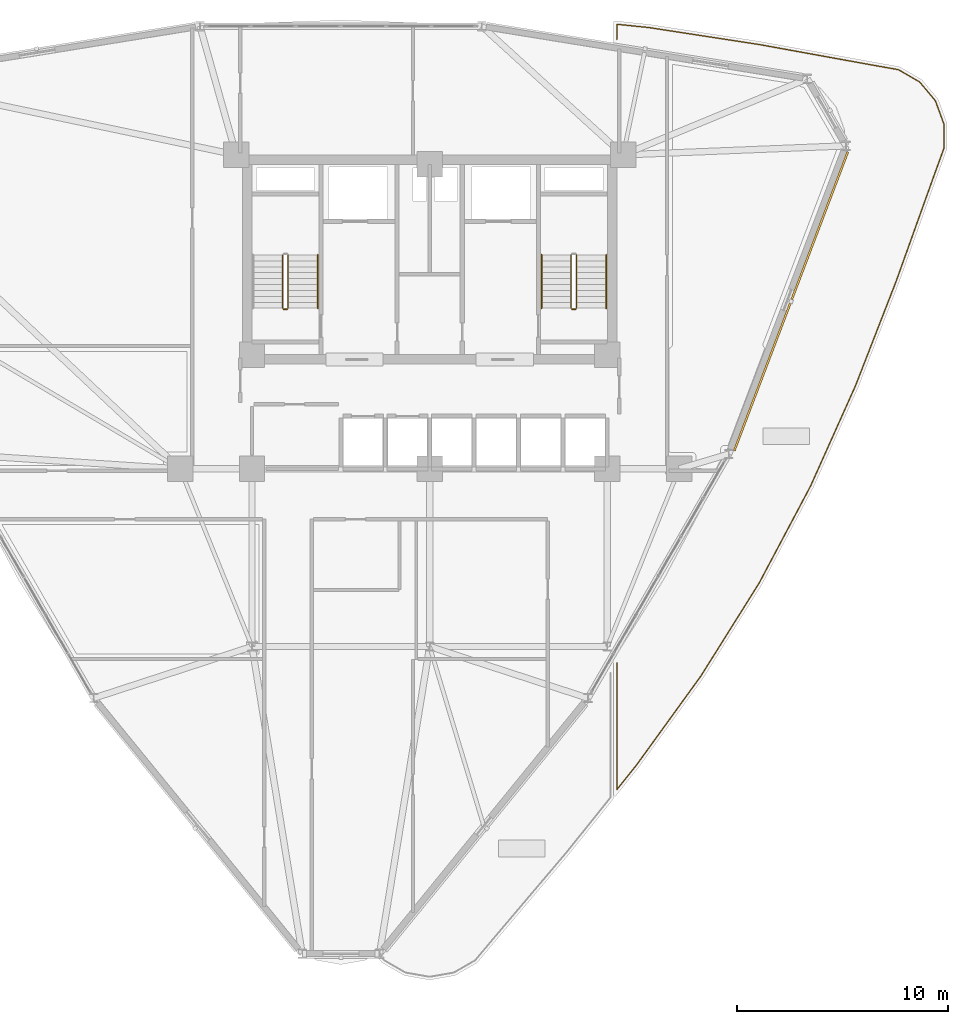
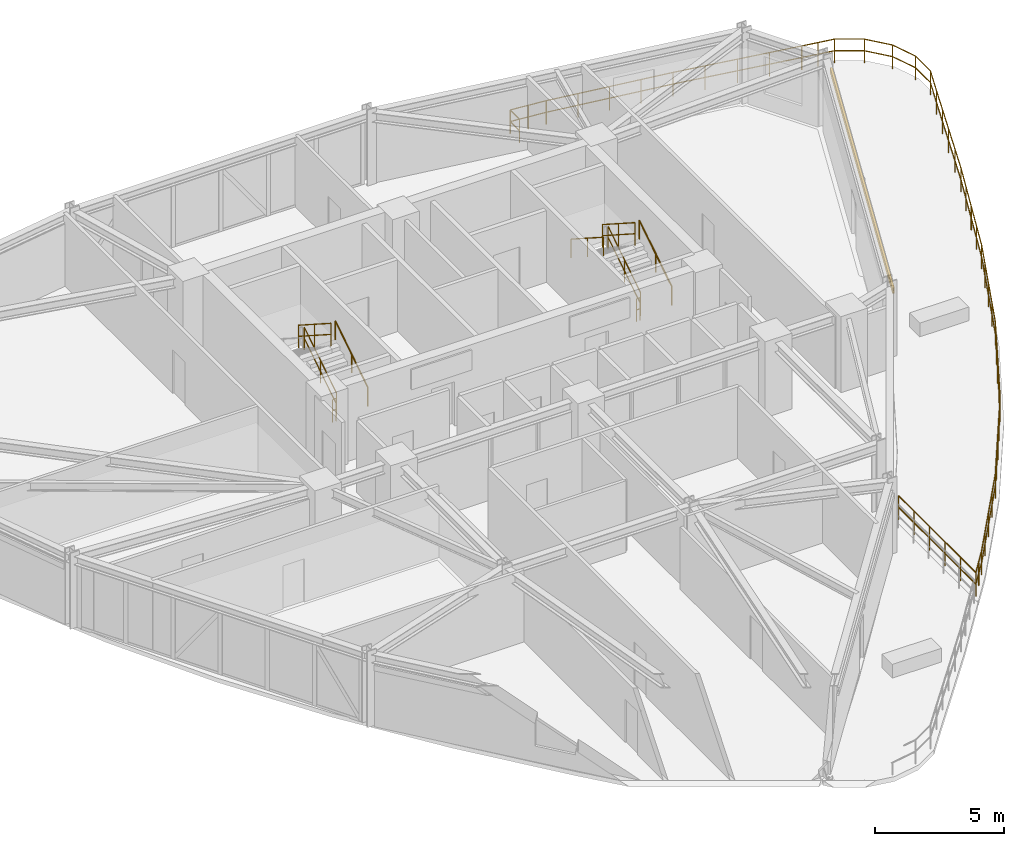
# One storey, part 16 of 18: 11 railings, 1 shading device.
"""IFC4 building model written with IfcOpenShell, lengths in metres."""

from ifc_helpers import new_model, si_unit, derived_unit, direction, frame, origin, origin_2d, place, context, subcontext, project, spatial, hollow_rectangle, circle, extrude, source, transform, mapped, material, material_profile, profile_set, type_object, element, save


model = new_model("IFC4")

# Units and contexts
model_context = context("Model", 3, precision=1e-05, world=origin(), true_north=direction((0.0, 1.0)))
body_context = subcontext(model_context, "Body", "Model", "MODEL_VIEW")
ifc_project = project(units=[si_unit("LENGTHUNIT", "METRE"), si_unit("AREAUNIT", "SQUARE_METRE"), si_unit("VOLUMEUNIT", "CUBIC_METRE"), si_unit("PLANEANGLEUNIT", "RADIAN"), si_unit("MASSUNIT", "GRAM", prefix="KILO"), derived_unit("THERMALTRANSMITTANCEUNIT", [(si_unit("POWERUNIT", "WATT"), 1), (si_unit("LENGTHUNIT", "METRE"), -2), (si_unit("THERMODYNAMICTEMPERATUREUNIT", "KELVIN"), -1)])], contexts=[model_context])

# Site, building, storey
site_placement = place(None, origin())
site = spatial("IfcSite", under=ifc_project, at=site_placement, CompositionType="ELEMENT")
building_placement = place(site_placement, origin())
building = spatial("IfcBuilding", under=site, at=building_placement, Name="Korsvarv Bourse and Concert Hall", CompositionType="ELEMENT")
storey_placement = place(building_placement, frame((0.0, 0.0, 136.199951171875)))
storey = spatial("IfcBuildingStorey", under=building, at=storey_placement, Name="L34", CompositionType="ELEMENT", Elevation=136.199951171875)

# Railings
ifc_material_1 = material(Name="Laminated safety glass and stainless Steel S355 balustrade", Category="steel")
railing_type_1 = type_object("IfcRailingType", Name="RL-BAL-EXT", PredefinedType="BALUSTRADE", material=ifc_material_1)
railing_1_placement = place(storey_placement, frame((44.85009765625, 17.23486328125, 0.0)))
element("IfcRailing", 1, at=railing_1_placement, inside=storey, type_object=railing_type_1, Name="L34 terrace perimeter balustrade SKYG1-1", PredefinedType="BALUSTRADE", context=body_context, shape_type="SweptSolid", body=[
    extrude(circle(Radius=0.02392578125, at=origin_2d()), frame((0.0, 0.0, 1.1259765625), z_axis=(0.0, 1.0, 0.0), x_axis=(-1.0, 0.0, 0.0)), (0.0, 0.0, 1.0), 5.997314453125),
    extrude(circle(Radius=0.02392578125, at=origin_2d()), frame((0.0, 0.0, 0.574951171875), z_axis=(0.0, 1.0, 0.0), x_axis=(-1.0, 0.0, 0.0)), (0.0, 0.0, 1.0), 5.997314453125),
    extrude(circle(Radius=0.02099609375, at=origin_2d()), origin(), (0.0, 0.0, 1.0), 1.101806640625),
    extrude(circle(Radius=0.02099609375, at=origin_2d()), frame((0.0, 1.199462890625, 0.0)), (0.0, 0.0, 1.0), 1.101806640625),
    extrude(circle(Radius=0.02099609375, at=origin_2d()), frame((0.0, 2.39892578125, 0.0)), (0.0, 0.0, 1.0), 1.101806640625),
    extrude(circle(Radius=0.02099609375, at=origin_2d()), frame((0.0, 3.598388671875, 0.0)), (0.0, 0.0, 1.0), 1.101806640625),
    extrude(circle(Radius=0.02099609375, at=origin_2d()), frame((0.0, 4.7978515625, 0.0)), (0.0, 0.0, 1.0), 1.101806640625),
    extrude(circle(Radius=0.02099609375, at=origin_2d()), frame((0.0, 5.997314453125, 0.0)), (0.0, 0.0, 1.0), 1.101806640625),
])
railing_2_placement = place(storey_placement, frame((44.85009765625, 52.7021484375, 0.0)))
element("IfcRailing", 2, at=railing_2_placement, inside=storey, type_object=railing_type_1, Name="L34 terrace perimeter balustrade SKYG1-2", PredefinedType="BALUSTRADE", context=body_context, shape_type="SweptSolid", body=[
    extrude(circle(Radius=0.02392578125, at=origin_2d()), frame((0.0, 0.0, 1.1259765625), z_axis=(0.0, 1.0, 0.0), x_axis=(-1.0, 0.0, 0.0)), (0.0, 0.0, 1.0), 0.724853515625),
    extrude(circle(Radius=0.02392578125, at=origin_2d()), frame((0.0, 0.0, 0.574951171875), z_axis=(0.0, 1.0, 0.0), x_axis=(-1.0, 0.0, 0.0)), (0.0, 0.0, 1.0), 0.724853515625),
    extrude(circle(Radius=0.02392578125, at=origin_2d()), frame((0.0, 0.724853515625, 1.1259765625), z_axis=(0.994751162448, -0.102323627812, 0.0), x_axis=(0.102323627812, 0.994751162448, 0.0)), (0.0, 0.0, 1.0), 1.5341796875),
    extrude(circle(Radius=0.02392578125, at=origin_2d()), frame((0.0, 0.724853515625, 0.574951171875), z_axis=(0.994751162448, -0.102323627812, 0.0), x_axis=(0.102323627812, 0.994751162448, 0.0)), (0.0, 0.0, 1.0), 1.5341796875),
    extrude(circle(Radius=0.02392578125, at=origin_2d()), frame((1.526123046875, 0.56787109375, 1.1259765625), z_axis=(0.98836153602, -0.152123220177, 0.0), x_axis=(0.152123220177, 0.98836153602, 0.0)), (0.0, 0.0, 1.0), 5.278564453125),
    extrude(circle(Radius=0.02392578125, at=origin_2d()), frame((1.526123046875, 0.56787109375, 0.574951171875), z_axis=(0.98836153602, -0.152123220177, 0.0), x_axis=(0.152123220177, 0.98836153602, 0.0)), (0.0, 0.0, 1.0), 5.278564453125),
    extrude(circle(Radius=0.02392578125, at=origin_2d()), frame((6.7431640625, -0.235107421875, 1.1259765625), z_axis=(0.983919776467, -0.178610955646, 0.0), x_axis=(0.178610955646, 0.983919776467, 0.0)), (0.0, 0.0, 1.0), 5.32275390625),
    extrude(circle(Radius=0.02392578125, at=origin_2d()), frame((6.7431640625, -0.235107421875, 0.574951171875), z_axis=(0.983919776467, -0.178610955646, 0.0), x_axis=(0.178610955646, 0.983919776467, 0.0)), (0.0, 0.0, 1.0), 5.32275390625),
    extrude(circle(Radius=0.02392578125, at=origin_2d()), frame((11.980224609375, -1.185791015625, 1.1259765625), z_axis=(0.984781740032, -0.17379564005, 0.0), x_axis=(0.17379564005, 0.984781740032, 0.0)), (0.0, 0.0, 1.0), 1.351318359375),
    extrude(circle(Radius=0.02392578125, at=origin_2d()), frame((11.980224609375, -1.185791015625, 0.574951171875), z_axis=(0.984781740032, -0.17379564005, 0.0), x_axis=(0.17379564005, 0.984781740032, 0.0)), (0.0, 0.0, 1.0), 1.351318359375),
    extrude(circle(Radius=0.02392578125, at=origin_2d()), frame((13.31103515625, -1.420654296875, 1.1259765625), z_axis=(0.866000375644, -0.500043347506, 0.0), x_axis=(0.500043347506, 0.866000375644, 0.0)), (0.0, 0.0, 1.0), 1.16357421875),
    extrude(circle(Radius=0.02392578125, at=origin_2d()), frame((13.31103515625, -1.420654296875, 0.574951171875), z_axis=(0.866000375644, -0.500043347506, 0.0), x_axis=(0.500043347506, 0.866000375644, 0.0)), (0.0, 0.0, 1.0), 1.16357421875),
    extrude(circle(Radius=0.02392578125, at=origin_2d()), frame((14.318603515625, -2.00244140625, 1.1259765625), z_axis=(0.642842672423, -0.765998236624, 0.0), x_axis=(0.765998236624, 0.642842672423, 0.0)), (0.0, 0.0, 1.0), 1.16357421875),
    extrude(circle(Radius=0.02392578125, at=origin_2d()), frame((14.318603515625, -2.00244140625, 0.574951171875), z_axis=(0.642842672423, -0.765998236624, 0.0), x_axis=(0.765998236624, 0.642842672423, 0.0)), (0.0, 0.0, 1.0), 1.16357421875),
    extrude(circle(Radius=0.02392578125, at=origin_2d()), frame((15.066650390625, -2.893798828125, 1.1259765625), z_axis=(0.341978889275, -0.939707635007, 0.0), x_axis=(0.939707635007, 0.341978889275, 0.0)), (0.0, 0.0, 1.0), 1.16357421875),
    extrude(circle(Radius=0.02392578125, at=origin_2d()), frame((15.066650390625, -2.893798828125, 0.574951171875), z_axis=(0.341978889275, -0.939707635007, 0.0), x_axis=(0.939707635007, 0.341978889275, 0.0)), (0.0, 0.0, 1.0), 1.16357421875),
    extrude(circle(Radius=0.02392578125, at=origin_2d()), frame((15.464599609375, -3.9873046875, 1.1259765625), z_axis=(0.0, -1.0, 0.0), x_axis=(1.0, 0.0, 0.0)), (0.0, 0.0, 1.0), 1.163818359375),
    extrude(circle(Radius=0.02392578125, at=origin_2d()), frame((15.464599609375, -3.9873046875, 0.574951171875), z_axis=(0.0, -1.0, 0.0), x_axis=(1.0, 0.0, 0.0)), (0.0, 0.0, 1.0), 1.163818359375),
    extrude(circle(Radius=0.02392578125, at=origin_2d()), frame((15.464599609375, -5.151123046875, 1.1259765625), z_axis=(-0.341976241071, -0.939708598739, 0.0), x_axis=(0.939708598739, -0.341976241071, 0.0)), (0.0, 0.0, 1.0), 1.344970703125),
    extrude(circle(Radius=0.02392578125, at=origin_2d()), frame((15.464599609375, -5.151123046875, 0.574951171875), z_axis=(-0.341976241071, -0.939708598739, 0.0), x_axis=(0.939708598739, -0.341976241071, 0.0)), (0.0, 0.0, 1.0), 1.344970703125),
    extrude(circle(Radius=0.02392578125, at=origin_2d()), frame((15.004638671875, -6.4150390625, 1.1259765625), z_axis=(-0.337279063568, -0.941404712798, 0.0), x_axis=(0.941404712798, -0.337279063568, 0.0)), (0.0, 0.0, 1.0), 5.331298828125),
    extrude(circle(Radius=0.02392578125, at=origin_2d()), frame((15.004638671875, -6.4150390625, 0.574951171875), z_axis=(-0.337279063568, -0.941404712798, 0.0), x_axis=(0.941404712798, -0.337279063568, 0.0)), (0.0, 0.0, 1.0), 5.331298828125),
    extrude(circle(Radius=0.02392578125, at=origin_2d()), frame((13.20654296875, -11.433837890625, 1.1259765625), z_axis=(-0.362479749728, -0.931991647515, 0.0), x_axis=(0.931991647515, -0.362479749728, 0.0)), (0.0, 0.0, 1.0), 5.277099609375),
    extrude(circle(Radius=0.02392578125, at=origin_2d()), frame((13.20654296875, -11.433837890625, 0.574951171875), z_axis=(-0.362479749728, -0.931991647515, 0.0), x_axis=(0.931991647515, -0.362479749728, 0.0)), (0.0, 0.0, 1.0), 5.277099609375),
    extrude(circle(Radius=0.02392578125, at=origin_2d()), frame((11.293701171875, -16.35205078125, 1.1259765625), z_axis=(-0.408744382243, -0.91264890839, 0.0), x_axis=(0.91264890839, -0.408744382243, 0.0)), (0.0, 0.0, 1.0), 5.220947265625),
    extrude(circle(Radius=0.02392578125, at=origin_2d()), frame((11.293701171875, -16.35205078125, 0.574951171875), z_axis=(-0.408744382243, -0.91264890839, 0.0), x_axis=(0.91264890839, -0.408744382243, 0.0)), (0.0, 0.0, 1.0), 5.220947265625),
    extrude(circle(Radius=0.02392578125, at=origin_2d()), frame((9.15966796875, -21.116943359375, 1.1259765625), z_axis=(-0.468428559525, -0.883501377827, 0.0), x_axis=(0.883501377827, -0.468428559525, 0.0)), (0.0, 0.0, 1.0), 5.184326171875),
    extrude(circle(Radius=0.02392578125, at=origin_2d()), frame((9.15966796875, -21.116943359375, 0.574951171875), z_axis=(-0.468428559525, -0.883501377827, 0.0), x_axis=(0.883501377827, -0.468428559525, 0.0)), (0.0, 0.0, 1.0), 5.184326171875),
    extrude(circle(Radius=0.02392578125, at=origin_2d()), frame((6.731201171875, -25.697265625, 1.1259765625), z_axis=(-0.530900081553, -0.847434424252, 0.0), x_axis=(0.847434424252, -0.530900081553, 0.0)), (0.0, 0.0, 1.0), 5.185302734375),
    extrude(circle(Radius=0.02392578125, at=origin_2d()), frame((6.731201171875, -25.697265625, 0.574951171875), z_axis=(-0.530900081553, -0.847434424252, 0.0), x_axis=(0.847434424252, -0.530900081553, 0.0)), (0.0, 0.0, 1.0), 5.185302734375),
    extrude(circle(Radius=0.02392578125, at=origin_2d()), frame((3.978271484375, -30.091552734375, 1.1259765625), z_axis=(-0.585990505548, -0.810317917491, 0.0), x_axis=(0.810317917491, -0.585990505548, 0.0)), (0.0, 0.0, 1.0), 5.222900390625),
    extrude(circle(Radius=0.02392578125, at=origin_2d()), frame((3.978271484375, -30.091552734375, 0.574951171875), z_axis=(-0.585990505548, -0.810317917491, 0.0), x_axis=(0.810317917491, -0.585990505548, 0.0)), (0.0, 0.0, 1.0), 5.222900390625),
    extrude(circle(Radius=0.02392578125, at=origin_2d()), frame((0.917724609375, -34.32373046875, 1.1259765625), z_axis=(-0.625892336201, -0.779909471339, 0.0), x_axis=(0.779909471339, -0.625892336201, 0.0)), (0.0, 0.0, 1.0), 1.46630859375),
    extrude(circle(Radius=0.02392578125, at=origin_2d()), frame((0.917724609375, -34.32373046875, 0.574951171875), z_axis=(-0.625892336201, -0.779909471339, 0.0), x_axis=(0.779909471339, -0.625892336201, 0.0)), (0.0, 0.0, 1.0), 1.46630859375),
    extrude(circle(Radius=0.02099609375, at=origin_2d()), origin(), (0.0, 0.0, 1.0), 1.101806640625),
    extrude(circle(Radius=0.02099609375, at=origin_2d()), frame((0.0, 0.724853515625, 0.0)), (0.0, 0.0, 1.0), 1.101806640625),
    extrude(circle(Radius=0.02099609375, at=origin_2d()), frame((0.76318359375, 0.646484375, 0.0)), (0.0, 0.0, 1.0), 1.101806640625),
    extrude(circle(Radius=0.02099609375, at=origin_2d()), frame((1.526123046875, 0.56787109375, 0.0)), (0.0, 0.0, 1.0), 1.101806640625),
    extrude(circle(Radius=0.02099609375, at=origin_2d()), frame((2.830322265625, 0.3671875, 0.0)), (0.0, 0.0, 1.0), 1.101806640625),
    extrude(circle(Radius=0.02099609375, at=origin_2d()), frame((4.134765625, 0.16650390625, 0.0)), (0.0, 0.0, 1.0), 1.101806640625),
    extrude(circle(Radius=0.02099609375, at=origin_2d()), frame((5.43896484375, -0.034423828125, 0.0)), (0.0, 0.0, 1.0), 1.101806640625),
    extrude(circle(Radius=0.02099609375, at=origin_2d()), frame((6.7431640625, -0.235107421875, 0.0)), (0.0, 0.0, 1.0), 1.101806640625),
    extrude(circle(Radius=0.02099609375, at=origin_2d()), frame((8.052490234375, -0.47265625, 0.0)), (0.0, 0.0, 1.0), 1.101806640625),
    extrude(circle(Radius=0.02099609375, at=origin_2d()), frame((9.36181640625, -0.71044921875, 0.0)), (0.0, 0.0, 1.0), 1.101806640625),
    extrude(circle(Radius=0.02099609375, at=origin_2d()), frame((10.6708984375, -0.9482421875, 0.0)), (0.0, 0.0, 1.0), 1.101806640625),
    extrude(circle(Radius=0.02099609375, at=origin_2d()), frame((11.980224609375, -1.185791015625, 0.0)), (0.0, 0.0, 1.0), 1.101806640625),
    extrude(circle(Radius=0.02099609375, at=origin_2d()), frame((12.6455078125, -1.30322265625, 0.0)), (0.0, 0.0, 1.0), 1.101806640625),
    extrude(circle(Radius=0.02099609375, at=origin_2d()), frame((13.31103515625, -1.420654296875, 0.0)), (0.0, 0.0, 1.0), 1.101806640625),
    extrude(circle(Radius=0.02099609375, at=origin_2d()), frame((14.318603515625, -2.00244140625, 0.0)), (0.0, 0.0, 1.0), 1.101806640625),
    extrude(circle(Radius=0.02099609375, at=origin_2d()), frame((15.066650390625, -2.893798828125, 0.0)), (0.0, 0.0, 1.0), 1.101806640625),
    extrude(circle(Radius=0.02099609375, at=origin_2d()), frame((15.464599609375, -3.9873046875, 0.0)), (0.0, 0.0, 1.0), 1.101806640625),
    extrude(circle(Radius=0.02099609375, at=origin_2d()), frame((15.464599609375, -5.151123046875, 0.0)), (0.0, 0.0, 1.0), 1.101806640625),
    extrude(circle(Radius=0.02099609375, at=origin_2d()), frame((15.004638671875, -6.4150390625, 0.0)), (0.0, 0.0, 1.0), 1.101806640625),
    extrude(circle(Radius=0.02099609375, at=origin_2d()), frame((14.55517578125, -7.669677734375, 0.0)), (0.0, 0.0, 1.0), 1.101806640625),
    extrude(circle(Radius=0.02099609375, at=origin_2d()), frame((14.10546875, -8.92431640625, 0.0)), (0.0, 0.0, 1.0), 1.101806640625),
    extrude(circle(Radius=0.02099609375, at=origin_2d()), frame((13.656005859375, -10.17919921875, 0.0)), (0.0, 0.0, 1.0), 1.101806640625),
    extrude(circle(Radius=0.02099609375, at=origin_2d()), frame((13.20654296875, -11.433837890625, 0.0)), (0.0, 0.0, 1.0), 1.101806640625),
    extrude(circle(Radius=0.02099609375, at=origin_2d()), frame((12.728271484375, -12.663330078125, 0.0)), (0.0, 0.0, 1.0), 1.101806640625),
    extrude(circle(Radius=0.02099609375, at=origin_2d()), frame((12.25, -13.89306640625, 0.0)), (0.0, 0.0, 1.0), 1.101806640625),
    extrude(circle(Radius=0.02099609375, at=origin_2d()), frame((11.77197265625, -15.12255859375, 0.0)), (0.0, 0.0, 1.0), 1.101806640625),
    extrude(circle(Radius=0.02099609375, at=origin_2d()), frame((11.293701171875, -16.35205078125, 0.0)), (0.0, 0.0, 1.0), 1.101806640625),
    extrude(circle(Radius=0.02099609375, at=origin_2d()), frame((10.76025390625, -17.543212890625, 0.0)), (0.0, 0.0, 1.0), 1.101806640625),
    extrude(circle(Radius=0.02099609375, at=origin_2d()), frame((10.2265625, -18.734375, 0.0)), (0.0, 0.0, 1.0), 1.101806640625),
    extrude(circle(Radius=0.02099609375, at=origin_2d()), frame((9.693115234375, -19.92578125, 0.0)), (0.0, 0.0, 1.0), 1.101806640625),
    extrude(circle(Radius=0.02099609375, at=origin_2d()), frame((9.15966796875, -21.116943359375, 0.0)), (0.0, 0.0, 1.0), 1.101806640625),
    extrude(circle(Radius=0.02099609375, at=origin_2d()), frame((8.552490234375, -22.261962890625, 0.0)), (0.0, 0.0, 1.0), 1.101806640625),
    extrude(circle(Radius=0.02099609375, at=origin_2d()), frame((7.9453125, -23.4072265625, 0.0)), (0.0, 0.0, 1.0), 1.101806640625),
    extrude(circle(Radius=0.02099609375, at=origin_2d()), frame((7.33837890625, -24.55224609375, 0.0)), (0.0, 0.0, 1.0), 1.101806640625),
    extrude(circle(Radius=0.02099609375, at=origin_2d()), frame((6.731201171875, -25.697265625, 0.0)), (0.0, 0.0, 1.0), 1.101806640625),
    extrude(circle(Radius=0.02099609375, at=origin_2d()), frame((6.04296875, -26.7958984375, 0.0)), (0.0, 0.0, 1.0), 1.101806640625),
    extrude(circle(Radius=0.02099609375, at=origin_2d()), frame((5.354736328125, -27.89453125, 0.0)), (0.0, 0.0, 1.0), 1.101806640625),
    extrude(circle(Radius=0.02099609375, at=origin_2d()), frame((4.66650390625, -28.992919921875, 0.0)), (0.0, 0.0, 1.0), 1.101806640625),
    extrude(circle(Radius=0.02099609375, at=origin_2d()), frame((3.978271484375, -30.091552734375, 0.0)), (0.0, 0.0, 1.0), 1.101806640625),
    extrude(circle(Radius=0.02099609375, at=origin_2d()), frame((3.213134765625, -31.149658203125, 0.0)), (0.0, 0.0, 1.0), 1.101806640625),
    extrude(circle(Radius=0.02099609375, at=origin_2d()), frame((2.447998046875, -32.20751953125, 0.0)), (0.0, 0.0, 1.0), 1.101806640625),
    extrude(circle(Radius=0.02099609375, at=origin_2d()), frame((1.682861328125, -33.265625, 0.0)), (0.0, 0.0, 1.0), 1.101806640625),
    extrude(circle(Radius=0.02099609375, at=origin_2d()), frame((0.917724609375, -34.32373046875, 0.0)), (0.0, 0.0, 1.0), 1.101806640625),
    extrude(circle(Radius=0.02099609375, at=origin_2d()), frame((0.458984375, -34.8955078125, 0.0)), (0.0, 0.0, 1.0), 1.101806640625),
    extrude(circle(Radius=0.02099609375, at=origin_2d()), frame((0.0, -35.46728515625, 0.0)), (0.0, 0.0, 1.0), 1.101806640625),
])
ifc_material_2 = material(Name="Painted Steel S355 stair well guardrail", Category="steel")
railing_type_2 = type_object("IfcRailingType", Name="RL-ST-GRD", PredefinedType="GUARDRAIL", material=ifc_material_2)
railing_3_placement = place(storey_placement, frame((29.31005859375, 40.0, 0.179931640625)))
element("IfcRailing", 3, at=railing_3_placement, inside=storey, type_object=railing_type_2, Name="L34 ST-T1 stair guard 1", PredefinedType="GUARDRAIL", context=body_context, shape_type="SweptSolid", body=[
    extrude(circle(Radius=0.02392578125, at=origin_2d()), frame((0.0, 0.0, 1.076171875), z_axis=(0.0, 0.841162588446, 0.540782303519), x_axis=(-1.0, 0.0, 0.0)), (0.0, 0.0, 1.0), 2.995849609375),
    extrude(circle(Radius=0.02392578125, at=origin_2d()), frame((0.0, 0.0, 0.550048828125), z_axis=(0.0, 0.841162588446, 0.540782303519), x_axis=(-1.0, 0.0, 0.0)), (0.0, 0.0, 1.0), 2.995849609375),
    extrude(circle(Radius=0.02099609375, at=origin_2d()), origin(), (0.0, 0.0, 1.0), 1.052001953125),
    extrude(circle(Radius=0.02099609375, at=origin_2d()), frame((0.0, 1.260009765625, 0.81005859375)), (0.0, 0.0, 1.0), 1.052001953125),
    extrude(circle(Radius=0.02099609375, at=origin_2d()), frame((0.0, 2.52001953125, 1.6201171875)), (0.0, 0.0, 1.0), 1.052001953125),
])
railing_4_placement = place(storey_placement, frame((29.050048828125, 42.52001953125, 1.97998046875)))
element("IfcRailing", 4, at=railing_4_placement, inside=storey, type_object=railing_type_2, Name="L34 ST-T1 stair guard 3", PredefinedType="GUARDRAIL", context=body_context, shape_type="SweptSolid", body=[
    extrude(circle(Radius=0.02392578125, at=origin_2d()), frame((0.0, 0.0, 1.076171875), z_axis=(0.0, -0.841162588446, 0.540782303519), x_axis=(1.0, 0.0, 0.0)), (0.0, 0.0, 1.0), 2.995849609375),
    extrude(circle(Radius=0.02392578125, at=origin_2d()), frame((0.0, 0.0, 0.550048828125), z_axis=(0.0, -0.841162588446, 0.540782303519), x_axis=(1.0, 0.0, 0.0)), (0.0, 0.0, 1.0), 2.995849609375),
    extrude(circle(Radius=0.02099609375, at=origin_2d()), origin(), (0.0, 0.0, 1.0), 1.052001953125),
    extrude(circle(Radius=0.02099609375, at=origin_2d()), frame((0.0, -1.260009765625, 0.81005859375)), (0.0, 0.0, 1.0), 1.052001953125),
    extrude(circle(Radius=0.02099609375, at=origin_2d()), frame((0.0, -2.52001953125, 1.6201171875)), (0.0, 0.0, 1.0), 1.052001953125),
])
railing_5_placement = place(storey_placement, frame((29.260009765625, 39.949951171875, 0.0)))
element("IfcRailing", 5, at=railing_5_placement, inside=storey, type_object=railing_type_2, Name="L34 ST-T1 stair guard 4", PredefinedType="GUARDRAIL", context=body_context, shape_type="SweptSolid", body=[
    extrude(circle(Radius=0.02392578125, at=origin_2d()), frame((0.0, 0.0, 1.076171875), z_axis=(-1.0, 0.0, 0.0), x_axis=(0.0, -1.0, 0.0)), (0.0, 0.0, 1.0), 0.159912109375),
    extrude(circle(Radius=0.02392578125, at=origin_2d()), frame((0.0, 0.0, 0.550048828125), z_axis=(-1.0, 0.0, 0.0), x_axis=(0.0, -1.0, 0.0)), (0.0, 0.0, 1.0), 0.159912109375),
    extrude(circle(Radius=0.02099609375, at=origin_2d()), origin(), (0.0, 0.0, 1.0), 1.052001953125),
    extrude(circle(Radius=0.02099609375, at=origin_2d()), frame((-0.159912109375, 0.0, 0.0)), (0.0, 0.0, 1.0), 1.052001953125),
])
railing_6_placement = place(storey_placement, frame((42.949951171875, 40.0, 0.179931640625)))
element("IfcRailing", 6, at=railing_6_placement, inside=storey, type_object=railing_type_2, Name="L34 ST-T2 stair guard 1", PredefinedType="GUARDRAIL", context=body_context, shape_type="SweptSolid", body=[
    extrude(circle(Radius=0.02392578125, at=origin_2d()), frame((0.0, 0.0, 1.076171875), z_axis=(0.0, 0.841162588446, 0.540782303519), x_axis=(-1.0, 0.0, 0.0)), (0.0, 0.0, 1.0), 2.995849609375),
    extrude(circle(Radius=0.02392578125, at=origin_2d()), frame((0.0, 0.0, 0.550048828125), z_axis=(0.0, 0.841162588446, 0.540782303519), x_axis=(-1.0, 0.0, 0.0)), (0.0, 0.0, 1.0), 2.995849609375),
    extrude(circle(Radius=0.02099609375, at=origin_2d()), origin(), (0.0, 0.0, 1.0), 1.052001953125),
    extrude(circle(Radius=0.02099609375, at=origin_2d()), frame((0.0, 1.260009765625, 0.81005859375)), (0.0, 0.0, 1.0), 1.052001953125),
    extrude(circle(Radius=0.02099609375, at=origin_2d()), frame((0.0, 2.52001953125, 1.6201171875)), (0.0, 0.0, 1.0), 1.052001953125),
])
railing_7_placement = place(storey_placement, frame((42.68994140625, 42.52001953125, 1.97998046875)))
element("IfcRailing", 7, at=railing_7_placement, inside=storey, type_object=railing_type_2, Name="L34 ST-T2 stair guard 3", PredefinedType="GUARDRAIL", context=body_context, shape_type="SweptSolid", body=[
    extrude(circle(Radius=0.02392578125, at=origin_2d()), frame((0.0, 0.0, 1.076171875), z_axis=(0.0, -0.841162588446, 0.540782303519), x_axis=(1.0, 0.0, 0.0)), (0.0, 0.0, 1.0), 2.995849609375),
    extrude(circle(Radius=0.02392578125, at=origin_2d()), frame((0.0, 0.0, 0.550048828125), z_axis=(0.0, -0.841162588446, 0.540782303519), x_axis=(1.0, 0.0, 0.0)), (0.0, 0.0, 1.0), 2.995849609375),
    extrude(circle(Radius=0.02099609375, at=origin_2d()), origin(), (0.0, 0.0, 1.0), 1.052001953125),
    extrude(circle(Radius=0.02099609375, at=origin_2d()), frame((0.0, -1.260009765625, 0.81005859375)), (0.0, 0.0, 1.0), 1.052001953125),
    extrude(circle(Radius=0.02099609375, at=origin_2d()), frame((0.0, -2.52001953125, 1.6201171875)), (0.0, 0.0, 1.0), 1.052001953125),
])
railing_8_placement = place(storey_placement, frame((42.89990234375, 39.949951171875, 0.0)))
element("IfcRailing", 8, at=railing_8_placement, inside=storey, type_object=railing_type_2, Name="L34 ST-T2 stair guard 4", PredefinedType="GUARDRAIL", context=body_context, shape_type="SweptSolid", body=[
    extrude(circle(Radius=0.02392578125, at=origin_2d()), frame((0.0, 0.0, 1.076171875), z_axis=(-1.0, 0.0, 0.0), x_axis=(0.0, -1.0, 0.0)), (0.0, 0.0, 1.0), 0.159912109375),
    extrude(circle(Radius=0.02392578125, at=origin_2d()), frame((0.0, 0.0, 0.550048828125), z_axis=(-1.0, 0.0, 0.0), x_axis=(0.0, -1.0, 0.0)), (0.0, 0.0, 1.0), 0.159912109375),
    extrude(circle(Radius=0.02099609375, at=origin_2d()), origin(), (0.0, 0.0, 1.0), 1.052001953125),
    extrude(circle(Radius=0.02099609375, at=origin_2d()), frame((-0.159912109375, 0.0, 0.0)), (0.0, 0.0, 1.0), 1.052001953125),
])
ifc_material_3 = material(Name="Brushed stainless Steel S355 tubular handrail", Category="steel")
railing_type_3 = type_object("IfcRailingType", Name="RL-ST-HND", PredefinedType="HANDRAIL", material=ifc_material_3)
for number, where, name in (
    (9, (30.7099609375, 40.0, 0.179931640625), "L34 ST-T1 stair handrail 1"),
    (10, (44.35009765625, 40.0, 0.179931640625), "L34 ST-T2 stair handrail 1"),
):
    element("IfcRailing", number, at=place(storey_placement, frame(where)), inside=storey, type_object=railing_type_3, Name=name, PredefinedType="HANDRAIL", context=body_context, shape_type="SweptSolid", body=[
        extrude(circle(Radius=0.02392578125, at=origin_2d()), frame((0.0, 0.0, 0.8759765625), z_axis=(0.0, 0.841162588446, 0.540782303519), x_axis=(-1.0, 0.0, 0.0)), (0.0, 0.0, 1.0), 2.995849609375),
        extrude(circle(Radius=0.02099609375, at=origin_2d()), origin(), (0.0, 0.0, 1.0), 0.851806640625),
        extrude(circle(Radius=0.02099609375, at=origin_2d()), frame((0.0, 1.260009765625, 0.81005859375)), (0.0, 0.0, 1.0), 0.851806640625),
        extrude(circle(Radius=0.02099609375, at=origin_2d()), frame((0.0, 2.52001953125, 1.6201171875)), (0.0, 0.0, 1.0), 0.851806640625),
    ])
railing_9_placement = place(storey_placement, frame((41.2900390625, 42.52001953125, 1.97998046875)))
element("IfcRailing", 11, at=railing_9_placement, inside=storey, type_object=railing_type_3, Name="L34 ST-T2 stair handrail 2", PredefinedType="HANDRAIL", context=body_context, shape_type="SweptSolid", body=[
    extrude(circle(Radius=0.02392578125, at=origin_2d()), frame((0.0, 0.0, 0.8759765625), z_axis=(0.0, -0.841162588446, 0.540782303519), x_axis=(1.0, 0.0, 0.0)), (0.0, 0.0, 1.0), 2.995849609375),
    extrude(circle(Radius=0.02099609375, at=origin_2d()), origin(), (0.0, 0.0, 1.0), 0.851806640625),
    extrude(circle(Radius=0.02099609375, at=origin_2d()), frame((0.0, -1.260009765625, 0.81005859375)), (0.0, 0.0, 1.0), 0.851806640625),
    extrude(circle(Radius=0.02099609375, at=origin_2d()), frame((0.0, -2.52001953125, 1.6201171875)), (0.0, 0.0, 1.0), 0.851806640625),
])

# Shading device
ifc_material_4 = material(Name="Glazed extruded architectural terracotta", Category="ceramic")
ifc_material_profile = material_profile(ifc_material_4, hollow_rectangle(XDim=0.090087890625, YDim=0.260009765625, WallThickness=0.011962890625, at=origin_2d()), Name="TC-BAG 90x260")
ifc_profile_set = profile_set([ifc_material_profile], Name="Glazed extruded architectural terracotta")
shading_device_type = type_object("IfcShadingDeviceType", Name="SHD-BAG-1", PredefinedType="USERDEFINED", material=ifc_profile_set)
shared_shape = source(origin(), body_context, "Body", "SweptSolid", [
    extrude(hollow_rectangle(XDim=0.090087890625, YDim=0.260009765625, WallThickness=0.011962890625, at=origin_2d()), origin(), (0.0, 0.0, 1.0), 15.116943359375),
])
shading_device_placement = place(storey_placement, frame((50.403564453125, 33.25927734375, 2.840087890625), z_axis=(0.355288039197, 0.934756871707, 0.0), x_axis=(-0.934756871707, 0.355288039197, 0.0)))
element("IfcShadingDevice", 12, at=shading_device_placement, inside=storey, type_object=shading_device_type, Name="L34 terracotta baguette sunshade EW-L34-B12", ObjectType="BAGUETTE", PredefinedType="USERDEFINED", context=body_context, shape_type="MappedRepresentation", body=[
    mapped(shared_shape, transform((0.0, 0.0, 0.0), scale=1.0)),
])

save(model, "model.ifc")
